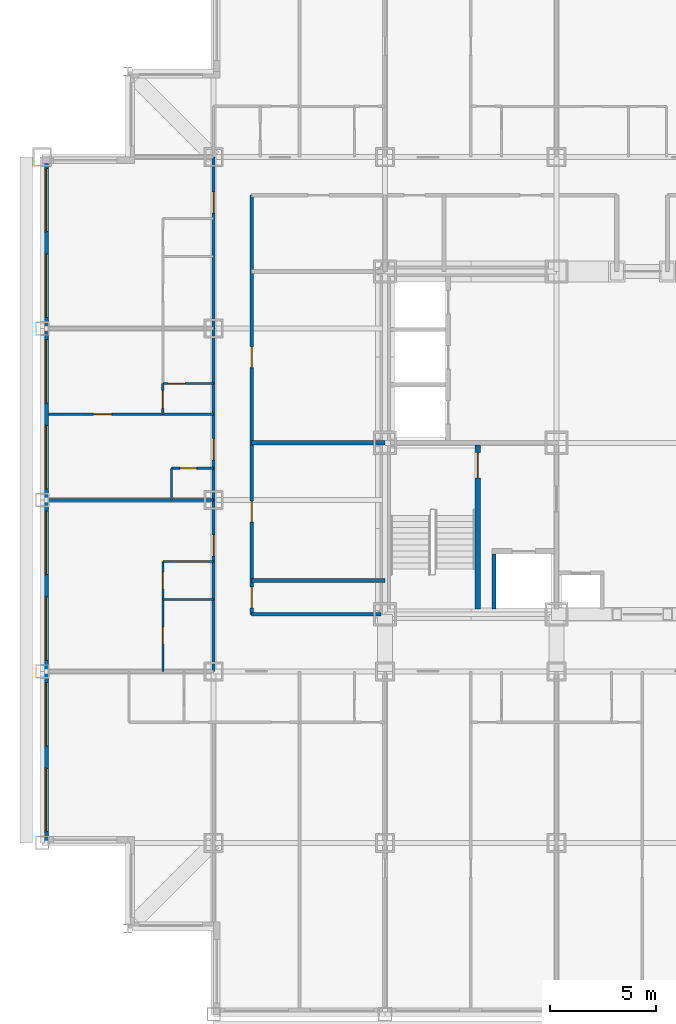
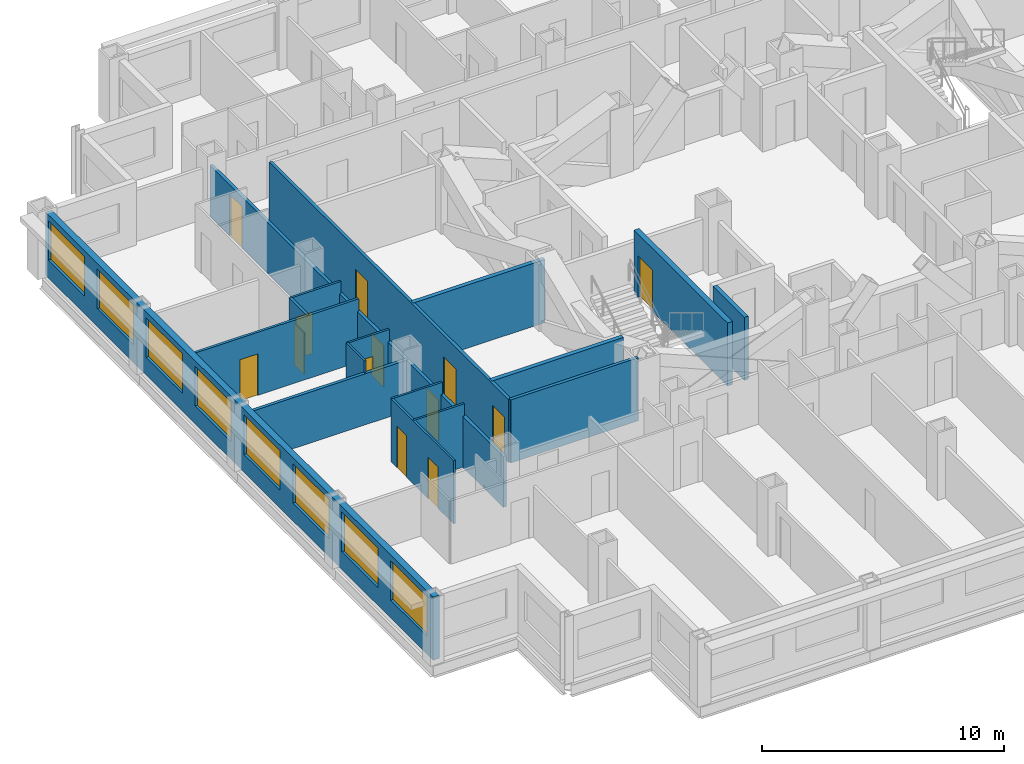
# One storey, part 5 of 14: 17 walls, 13 doors, 8 windows, 21 openings.
"""IFC4 building model written with IfcOpenShell, lengths in metres."""

from ifc_helpers import new_model, si_unit, direction, frame, frame_2d, origin, place, context, subcontext, project, spatial, rectangle, extrude, material, layer, layer_set, type_object, element, fill, save


model = new_model("IFC4")

# Units and contexts
model_context = context("Model", 3, precision=1e-05, world=origin(), true_north=direction((0.0, 1.0)))
body_context = subcontext(model_context, "Body", "Model", "MODEL_VIEW")
ifc_project = project(units=[si_unit("LENGTHUNIT", "METRE"), si_unit("AREAUNIT", "SQUARE_METRE"), si_unit("VOLUMEUNIT", "CUBIC_METRE"), si_unit("PLANEANGLEUNIT", "RADIAN"), si_unit("MASSUNIT", "GRAM", prefix="KILO")], contexts=[model_context])

# Site, building, storey
site_placement = place(None, origin())
site = spatial("IfcSite", under=ifc_project, at=site_placement, CompositionType="ELEMENT")
building_placement = place(site_placement, origin())
building = spatial("IfcBuilding", under=site, at=building_placement, Name="Kopane Lantern Tower", CompositionType="ELEMENT")
storey_placement = place(building_placement, frame((0.0, 0.0, 123.800048828125)))
storey = spatial("IfcBuildingStorey", under=building, at=storey_placement, Name="L31", CompositionType="ELEMENT", Elevation=123.800048828125)

# Wall, opening, door
ifc_material_1 = material(Name="Gypsum board on steel studs", Category="steel")
ifc_layer_1 = layer(ifc_material_1, 0.1201171875)
ifc_layer_set_1 = layer_set([ifc_layer_1], Name="APARTMENT INTERNAL WALL 120")
wall_type_1 = type_object("IfcWallType", Name="APARTMENT INTERNAL WALL 120", PredefinedType="PARTITIONING", material=ifc_layer_set_1)
wall_1_placement = place(storey_placement, frame((8.10009765625, 33.75, 0.0), z_axis=(0.0, 0.0, 1.0), x_axis=(-1.0, 0.0, 0.0)))
wall_1 = element("IfcWall", 1, at=wall_1_placement, inside=storey, type_object=wall_type_1, Name="Apartment Internal Wall 120 L31", PredefinedType="PARTITIONING", context=body_context, shape_type="SweptSolid", body=[
    extrude(rectangle(XDim=7.800048828125, YDim=0.1201171875, at=frame_2d((3.89990234375, 0.0))), origin(), (0.0, 0.0, 1.0), 3.18994140625),
])
opening_1_placement = place(wall_1_placement, frame((4.824951171875, 0.0, 0.0)))
opening_1 = element("IfcOpeningElement", 2, at=opening_1_placement, cuts=wall_1, Name="Opening L31-049", PredefinedType="OPENING", context=body_context, shape_type="SweptSolid", body=[
    extrude(rectangle(XDim=0.85009765625, YDim=2.10009765625, at=frame_2d((0.425048828125, 1.050048828125))), frame((0.0, 0.070068359375, 0.0), z_axis=(0.0, -1.0, 0.0), x_axis=(1.0, 0.0, 0.0)), (0.0, 0.0, 1.0), 0.14013671875),
])
ifc_material_2 = material(Name="Timber door set", Category="wood")
door_type_1 = type_object("IfcDoorType", Name="DOOR D4 850x2100", OperationType="SINGLE_SWING_LEFT", PredefinedType="DOOR", material=ifc_material_2)
door_1_placement = place(opening_1_placement, origin())
door_1 = element("IfcDoor", 3, at=door_1_placement, inside=storey, type_object=door_type_1, Name="Door L31-049", OperationType="SINGLE_SWING_RIGHT", OverallHeight=2.10009765625, OverallWidth=0.85009765625, PredefinedType="DOOR", context=body_context, shape_type="SweptSolid", body=[
    extrude(rectangle(XDim=0.85009765625, YDim=2.10009765625, at=frame_2d((0.425048828125, 1.050048828125))), frame((0.0, 0.02490234375, 0.0), z_axis=(0.0, -1.0, 0.0), x_axis=(1.0, 0.0, 0.0)), (0.0, 0.0, 1.0), 0.050048828125),
])
fill(opening_1, door_1)

wall_2_placement = place(storey_placement, frame((5.699951171875, 33.75, 0.0), z_axis=(0.0, 0.0, 1.0), x_axis=(0.0, 1.0, 0.0)))
wall_2 = element("IfcWall", 4, at=wall_2_placement, inside=storey, type_object=wall_type_1, Name="Apartment Internal Wall 120 L31", PredefinedType="PARTITIONING", context=body_context, shape_type="SweptSolid", body=[
    extrude(rectangle(XDim=1.4599609375, YDim=0.1201171875, at=frame_2d((0.72998046875, 0.0))), origin(), (0.0, 0.0, 1.0), 3.18994140625),
])
opening_2_placement = place(wall_2_placement, frame((0.27490234375, 0.0, 0.0)))
opening_2 = element("IfcOpeningElement", 5, at=opening_2_placement, cuts=wall_2, Name="Opening L31-085", PredefinedType="OPENING", context=body_context, shape_type="SweptSolid", body=[
    extrude(rectangle(XDim=0.85009765625, YDim=2.10009765625, at=frame_2d((0.425048828125, 1.050048828125))), frame((0.0, 0.070068359375, 0.0), z_axis=(0.0, -1.0, 0.0), x_axis=(1.0, 0.0, 0.0)), (0.0, 0.0, 1.0), 0.14013671875),
])
door_2_placement = place(opening_2_placement, origin())
door_2 = element("IfcDoor", 6, at=door_2_placement, inside=storey, type_object=door_type_1, Name="Door L31-085", OperationType="SINGLE_SWING_LEFT", OverallHeight=2.10009765625, OverallWidth=0.85009765625, PredefinedType="DOOR", context=body_context, shape_type="SweptSolid", body=[
    extrude(rectangle(XDim=0.85009765625, YDim=2.10009765625, at=frame_2d((0.425048828125, 1.050048828125))), frame((0.0, 0.02490234375, 0.0), z_axis=(0.0, -1.0, 0.0), x_axis=(1.0, 0.0, 0.0)), (0.0, 0.0, 1.0), 0.050048828125),
])
fill(opening_2, door_2)

# Wall, openings, doors
ifc_material_3 = material(Name="Moisture-resistant board on steel studs", Category="steel")
ifc_layer_2 = layer(ifc_material_3, 0.10009765625)
ifc_layer_set_2 = layer_set([ifc_layer_2], Name="BATHROOM WALL 100")
wall_type_2 = type_object("IfcWallType", Name="BATHROOM WALL 100", PredefinedType="PARTITIONING", material=ifc_layer_set_2)
wall_3_placement = place(storey_placement, frame((5.699951171875, 21.60009765625, 0.0), z_axis=(0.0, 0.0, 1.0), x_axis=(0.0, 1.0, 0.0)))
wall_3 = element("IfcWall", 7, at=wall_3_placement, inside=storey, type_object=wall_type_2, Name="Bathroom Wall 100 L31", PredefinedType="PARTITIONING", context=body_context, shape_type="SweptSolid", body=[
    extrude(rectangle(XDim=5.199951171875, YDim=0.10009765625, at=frame_2d((2.60009765625, 0.0))), origin(), (0.0, 0.0, 1.0), 3.18994140625),
])
opening_3_placement = place(wall_3_placement, frame((1.300048828125, 0.0, 0.0)))
opening_3 = element("IfcOpeningElement", 8, at=opening_3_placement, cuts=wall_3, Name="Opening L31-043", PredefinedType="OPENING", context=body_context, shape_type="SweptSolid", body=[
    extrude(rectangle(XDim=0.800048828125, YDim=2.10009765625, at=frame_2d((0.39990234375, 1.050048828125))), frame((0.0, 0.06005859375, 0.0), z_axis=(0.0, -1.0, 0.0), x_axis=(1.0, 0.0, 0.0)), (0.0, 0.0, 1.0), 0.1201171875),
])
opening_4_placement = place(wall_3_placement, frame((3.89990234375, 0.0, 0.0)))
opening_4 = element("IfcOpeningElement", 9, at=opening_4_placement, cuts=wall_3, Name="Opening L31-044", PredefinedType="OPENING", context=body_context, shape_type="SweptSolid", body=[
    extrude(rectangle(XDim=0.800048828125, YDim=2.10009765625, at=frame_2d((0.39990234375, 1.050048828125))), frame((0.0, 0.06005859375, 0.0), z_axis=(0.0, -1.0, 0.0), x_axis=(1.0, 0.0, 0.0)), (0.0, 0.0, 1.0), 0.1201171875),
])
ifc_material_4 = material(Name="Timber door set", Category="wood")
door_type_2 = type_object("IfcDoorType", Name="DOOR D2 800x2100", OperationType="SINGLE_SWING_LEFT", PredefinedType="DOOR", material=ifc_material_4)
door_3_placement = place(opening_3_placement, origin())
door_3 = element("IfcDoor", 10, at=door_3_placement, inside=storey, type_object=door_type_2, Name="Door L31-043", OperationType="SINGLE_SWING_LEFT", OverallHeight=2.10009765625, OverallWidth=0.800048828125, PredefinedType="DOOR", context=body_context, shape_type="SweptSolid", body=[
    extrude(rectangle(XDim=0.800048828125, YDim=2.10009765625, at=frame_2d((0.39990234375, 1.050048828125))), frame((0.0, 0.02490234375, 0.0), z_axis=(0.0, -1.0, 0.0), x_axis=(1.0, 0.0, 0.0)), (0.0, 0.0, 1.0), 0.050048828125),
])
fill(opening_3, door_3)
door_4_placement = place(opening_4_placement, origin())
door_4 = element("IfcDoor", 11, at=door_4_placement, inside=storey, type_object=door_type_2, Name="Door L31-044", OperationType="SINGLE_SWING_LEFT", OverallHeight=2.10009765625, OverallWidth=0.800048828125, PredefinedType="DOOR", context=body_context, shape_type="SweptSolid", body=[
    extrude(rectangle(XDim=0.800048828125, YDim=2.10009765625, at=frame_2d((0.39990234375, 1.050048828125))), frame((0.0, 0.02490234375, 0.0), z_axis=(0.0, -1.0, 0.0), x_axis=(1.0, 0.0, 0.0)), (0.0, 0.0, 1.0), 0.050048828125),
])
fill(opening_4, door_4)

# Walls
for number, where, z_axis, x_axis, name in (
    (12, (8.10009765625, 25.0, 0.0), (0.0, 0.0, 1.0), (-1.0, 0.0, 0.0), "Bathroom Wall 100 L31"),
    (13, (8.10009765625, 26.800048828125, 0.0), (0.0, 0.0, 1.0), (-1.0, 0.0, 0.0), "Bathroom Wall 100 L31"),
):
    element("IfcWall", number, at=place(storey_placement, frame(where, z_axis=z_axis, x_axis=x_axis)), inside=storey, type_object=wall_type_2, Name=name, PredefinedType="PARTITIONING", context=body_context, shape_type="SweptSolid", body=[
        extrude(rectangle(XDim=2.400146484375, YDim=0.10009765625, at=frame_2d((1.2001953125, 0.0))), origin(), (0.0, 0.0, 1.0), 3.18994140625),
    ])
wall_4_placement = place(storey_placement, frame((6.10009765625, 29.699951171875, 0.0), z_axis=(0.0, 0.0, 1.0), x_axis=(0.0, 1.0, 0.0)))
element("IfcWall", 14, at=wall_4_placement, inside=storey, type_object=wall_type_2, Name="Bathroom Wall 100 L31", PredefinedType="PARTITIONING", context=body_context, shape_type="SweptSolid", body=[
    extrude(rectangle(XDim=1.5, YDim=0.10009765625, at=frame_2d((0.75, 0.0))), origin(), (0.0, 0.0, 1.0), 3.18994140625),
])

# Wall, opening, door
wall_5_placement = place(storey_placement, frame((8.10009765625, 31.199951171875, 0.0), z_axis=(0.0, 0.0, 1.0), x_axis=(-1.0, 0.0, 0.0)))
wall_5 = element("IfcWall", 15, at=wall_5_placement, inside=storey, type_object=wall_type_2, Name="Bathroom Wall 100 L31", PredefinedType="PARTITIONING", context=body_context, shape_type="SweptSolid", body=[
    extrude(rectangle(XDim=2.0, YDim=0.10009765625, at=frame_2d((1.0, 0.0))), origin(), (0.0, 0.0, 1.0), 3.18994140625),
])
opening_5_placement = place(wall_5_placement, frame((0.800048828125, 0.0, 0.0)))
opening_5 = element("IfcOpeningElement", 16, at=opening_5_placement, cuts=wall_5, Name="Opening L31-046", PredefinedType="OPENING", context=body_context, shape_type="SweptSolid", body=[
    extrude(rectangle(XDim=0.800048828125, YDim=2.10009765625, at=frame_2d((0.39990234375, 1.050048828125))), frame((0.0, 0.06005859375, 0.0), z_axis=(0.0, -1.0, 0.0), x_axis=(1.0, 0.0, 0.0)), (0.0, 0.0, 1.0), 0.1201171875),
])
door_5_placement = place(opening_5_placement, origin())
door_5 = element("IfcDoor", 17, at=door_5_placement, inside=storey, type_object=door_type_2, Name="Door L31-046", OperationType="SINGLE_SWING_RIGHT", OverallHeight=2.10009765625, OverallWidth=0.800048828125, PredefinedType="DOOR", context=body_context, shape_type="SweptSolid", body=[
    extrude(rectangle(XDim=0.800048828125, YDim=2.10009765625, at=frame_2d((0.39990234375, 1.050048828125))), frame((0.0, 0.02490234375, 0.0), z_axis=(0.0, -1.0, 0.0), x_axis=(1.0, 0.0, 0.0)), (0.0, 0.0, 1.0), 0.050048828125),
])
fill(opening_5, door_5)

wall_6_placement = place(storey_placement, frame((8.10009765625, 35.199951171875, 0.0), z_axis=(0.0, 0.0, 1.0), x_axis=(-1.0, 0.0, 0.0)))
wall_6 = element("IfcWall", 18, at=wall_6_placement, inside=storey, type_object=wall_type_2, Name="Bathroom Wall 100 L31", PredefinedType="PARTITIONING", context=body_context, shape_type="SweptSolid", body=[
    extrude(rectangle(XDim=2.400146484375, YDim=0.10009765625, at=frame_2d((1.2001953125, 0.0))), origin(), (0.0, 0.0, 1.0), 3.18994140625),
])
opening_6_placement = place(wall_6_placement, frame((1.35009765625, 0.0, 0.0)))
opening_6 = element("IfcOpeningElement", 19, at=opening_6_placement, cuts=wall_6, Name="Opening L31-048", PredefinedType="OPENING", context=body_context, shape_type="SweptSolid", body=[
    extrude(rectangle(XDim=0.800048828125, YDim=2.10009765625, at=frame_2d((0.39990234375, 1.050048828125))), frame((0.0, 0.06005859375, 0.0), z_axis=(0.0, -1.0, 0.0), x_axis=(1.0, 0.0, 0.0)), (0.0, 0.0, 1.0), 0.1201171875),
])
door_6_placement = place(opening_6_placement, origin())
door_6 = element("IfcDoor", 20, at=door_6_placement, inside=storey, type_object=door_type_2, Name="Door L31-048", OperationType="SINGLE_SWING_RIGHT", OverallHeight=2.10009765625, OverallWidth=0.800048828125, PredefinedType="DOOR", context=body_context, shape_type="SweptSolid", body=[
    extrude(rectangle(XDim=0.800048828125, YDim=2.10009765625, at=frame_2d((0.39990234375, 1.050048828125))), frame((0.0, 0.02490234375, 0.0), z_axis=(0.0, -1.0, 0.0), x_axis=(1.0, 0.0, 0.0)), (0.0, 0.0, 1.0), 0.050048828125),
])
fill(opening_6, door_6)

ifc_material_5 = material(Name="Gypsum shaft wall EI 120", Category="gypsum")
ifc_layer_3 = layer(ifc_material_5, 0.25)
ifc_layer_set_3 = layer_set([ifc_layer_3], Name="CORE SHAFT WALL 250 EI 120")
wall_type_3 = type_object("IfcWallType", Name="CORE SHAFT WALL 250 EI 120", PredefinedType="SOLIDWALL", material=ifc_layer_set_3)
wall_7_placement = place(storey_placement, frame((20.574951171875, 24.550048828125, 0.0), z_axis=(0.0, 0.0, 1.0), x_axis=(0.0, 1.0, 0.0)))
wall_7 = element("IfcWall", 21, at=wall_7_placement, inside=storey, type_object=wall_type_3, Name="Core shaft wall L31 XST1", PredefinedType="SOLIDWALL", context=body_context, shape_type="SweptSolid", body=[
    extrude(rectangle(XDim=7.75, YDim=0.25, at=frame_2d((3.875, 0.0))), origin(), (0.0, 0.0, 1.0), 3.18994140625),
])
opening_7_placement = place(wall_7_placement, frame((6.199951171875, 0.0, 0.0)))
opening_7 = element("IfcOpeningElement", 22, at=opening_7_placement, cuts=wall_7, Name="Opening 31.SD1", PredefinedType="OPENING", context=body_context, shape_type="SweptSolid", body=[
    extrude(rectangle(XDim=1.199951171875, YDim=2.10009765625, at=frame_2d((0.60009765625, 1.050048828125))), frame((0.0, 0.135009765625, 0.0), z_axis=(0.0, -1.0, 0.0), x_axis=(1.0, 0.0, 0.0)), (0.0, 0.0, 1.0), 0.27001953125),
])
ifc_material_6 = material(Name="Steel door set", Category="steel")
door_type_3 = type_object("IfcDoorType", Name="STAIR DOOR 1200x2100 FD60S", OperationType="SINGLE_SWING_LEFT", PredefinedType="DOOR", material=ifc_material_6)
door_7_placement = place(opening_7_placement, origin())
door_7 = element("IfcDoor", 23, at=door_7_placement, inside=storey, type_object=door_type_3, Name="Stair door ST1 L31", OperationType="SINGLE_SWING_LEFT", OverallHeight=2.10009765625, OverallWidth=1.199951171875, PredefinedType="DOOR", context=body_context, shape_type="SweptSolid", body=[
    extrude(rectangle(XDim=1.199951171875, YDim=2.10009765625, at=frame_2d((0.60009765625, 1.050048828125))), frame((0.0, 0.02490234375, 0.0), z_axis=(0.0, -1.0, 0.0), x_axis=(1.0, 0.0, 0.0)), (0.0, 0.0, 1.0), 0.050048828125),
])
fill(opening_7, door_7)

# Wall, openings, doors
ifc_material_7 = material(Name="Gypsum board on steel studs", Category="steel")
ifc_layer_4 = layer(ifc_material_7, 0.14990234375)
ifc_layer_set_4 = layer_set([ifc_layer_4], Name="CORRIDOR WALL 150 EI 60")
wall_type_4 = type_object("IfcWallType", Name="CORRIDOR WALL 150 EI 60", PredefinedType="PARTITIONING", material=ifc_layer_set_4)
wall_8_placement = place(storey_placement, frame((8.10009765625, 21.60009765625, 0.0), z_axis=(0.0, 0.0, 1.0), x_axis=(0.0, 1.0, 0.0)))
wall_8 = element("IfcWall", 24, at=wall_8_placement, inside=storey, type_object=wall_type_4, Name="Corridor Wall 150 Ei 60 L31", PredefinedType="PARTITIONING", context=body_context, shape_type="SweptSolid", body=[
    extrude(rectangle(XDim=24.2998046875, YDim=0.14990234375, at=frame_2d((12.14990234375, 0.0))), origin(), (0.0, 0.0, 1.0), 2.57763671875),
])
opening_8_placement = place(wall_8_placement, frame((5.449951171875, 0.0, 0.0)))
opening_8 = element("IfcOpeningElement", 25, at=opening_8_placement, cuts=wall_8, Name="Opening L31-045", PredefinedType="OPENING", context=body_context, shape_type="SweptSolid", body=[
    extrude(rectangle(XDim=1.0, YDim=2.10009765625, at=frame_2d((0.5, 1.050048828125))), frame((0.0, 0.0849609375, 0.0), z_axis=(0.0, -1.0, 0.0), x_axis=(1.0, 0.0, 0.0)), (0.0, 0.0, 1.0), 0.169921875),
])
opening_9_placement = place(wall_8_placement, frame((10.0, 0.0, 0.0)))
opening_9 = element("IfcOpeningElement", 26, at=opening_9_placement, cuts=wall_8, Name="Opening L31-047", PredefinedType="OPENING", context=body_context, shape_type="SweptSolid", body=[
    extrude(rectangle(XDim=1.0, YDim=2.10009765625, at=frame_2d((0.5, 1.050048828125))), frame((0.0, 0.0849609375, 0.0), z_axis=(0.0, -1.0, 0.0), x_axis=(1.0, 0.0, 0.0)), (0.0, 0.0, 1.0), 0.169921875),
])
opening_10_placement = place(wall_8_placement, frame((21.64990234375, 0.0, 0.0)))
opening_10 = element("IfcOpeningElement", 27, at=opening_10_placement, cuts=wall_8, Name="Opening L31-052", PredefinedType="OPENING", context=body_context, shape_type="SweptSolid", body=[
    extrude(rectangle(XDim=1.0, YDim=2.10009765625, at=frame_2d((0.5, 1.050048828125))), frame((0.0, 0.0849609375, 0.0), z_axis=(0.0, -1.0, 0.0), x_axis=(1.0, 0.0, 0.0)), (0.0, 0.0, 1.0), 0.169921875),
])
ifc_material_8 = material(Name="Steel door set", Category="steel")
door_type_4 = type_object("IfcDoorType", Name="DOOR D1 1000x2100 FD30S", OperationType="SINGLE_SWING_LEFT", PredefinedType="DOOR", material=ifc_material_8)
door_8_placement = place(opening_8_placement, origin())
door_8 = element("IfcDoor", 28, at=door_8_placement, inside=storey, type_object=door_type_4, Name="Door L31-045", OperationType="SINGLE_SWING_LEFT", OverallHeight=2.10009765625, OverallWidth=1.0, PredefinedType="DOOR", context=body_context, shape_type="SweptSolid", body=[
    extrude(rectangle(XDim=1.0, YDim=2.10009765625, at=frame_2d((0.5, 1.050048828125))), frame((0.0, 0.02490234375, 0.0), z_axis=(0.0, -1.0, 0.0), x_axis=(1.0, 0.0, 0.0)), (0.0, 0.0, 1.0), 0.050048828125),
])
fill(opening_8, door_8)
door_9_placement = place(opening_9_placement, origin())
door_9 = element("IfcDoor", 29, at=door_9_placement, inside=storey, type_object=door_type_4, Name="Door L31-047", OperationType="SINGLE_SWING_LEFT", OverallHeight=2.10009765625, OverallWidth=1.0, PredefinedType="DOOR", context=body_context, shape_type="SweptSolid", body=[
    extrude(rectangle(XDim=1.0, YDim=2.10009765625, at=frame_2d((0.5, 1.050048828125))), frame((0.0, 0.02490234375, 0.0), z_axis=(0.0, -1.0, 0.0), x_axis=(1.0, 0.0, 0.0)), (0.0, 0.0, 1.0), 0.050048828125),
])
fill(opening_9, door_9)
door_10_placement = place(opening_10_placement, origin())
door_10 = element("IfcDoor", 30, at=door_10_placement, inside=storey, type_object=door_type_4, Name="Door L31-052", OperationType="SINGLE_SWING_LEFT", OverallHeight=2.10009765625, OverallWidth=1.0, PredefinedType="DOOR", context=body_context, shape_type="SweptSolid", body=[
    extrude(rectangle(XDim=1.0, YDim=2.10009765625, at=frame_2d((0.5, 1.050048828125))), frame((0.0, 0.02490234375, 0.0), z_axis=(0.0, -1.0, 0.0), x_axis=(1.0, 0.0, 0.0)), (0.0, 0.0, 1.0), 0.050048828125),
])
fill(opening_10, door_10)

wall_9_placement = place(storey_placement, frame((9.89990234375, 44.10009765625, 0.0), z_axis=(0.0, 0.0, 1.0), x_axis=(0.0, -1.0, 0.0)))
wall_9 = element("IfcWall", 31, at=wall_9_placement, inside=storey, type_object=wall_type_4, Name="Corridor Wall 150 Ei 60 L31", PredefinedType="PARTITIONING", context=body_context, shape_type="SweptSolid", body=[
    extrude(rectangle(XDim=19.800048828125, YDim=0.14990234375, at=frame_2d((9.89990234375, 0.0))), origin(), (0.0, 0.0, 1.0), 3.18994140625),
])
opening_11_placement = place(wall_9_placement, frame((18.5, 0.0, 0.0)))
opening_11 = element("IfcOpeningElement", 32, at=opening_11_placement, cuts=wall_9, Name="Opening L31-001", PredefinedType="OPENING", context=body_context, shape_type="SweptSolid", body=[
    extrude(rectangle(XDim=1.0, YDim=2.10009765625, at=frame_2d((0.5, 1.050048828125))), frame((0.0, 0.0849609375, 0.0), z_axis=(0.0, -1.0, 0.0), x_axis=(1.0, 0.0, 0.0)), (0.0, 0.0, 1.0), 0.169921875),
])
opening_12_placement = place(wall_9_placement, frame((14.449951171875, 0.0, 0.0)))
opening_12 = element("IfcOpeningElement", 33, at=opening_12_placement, cuts=wall_9, Name="Opening L31-002", PredefinedType="OPENING", context=body_context, shape_type="SweptSolid", body=[
    extrude(rectangle(XDim=1.0, YDim=2.10009765625, at=frame_2d((0.5, 1.050048828125))), frame((0.0, 0.0849609375, 0.0), z_axis=(0.0, -1.0, 0.0), x_axis=(1.0, 0.0, 0.0)), (0.0, 0.0, 1.0), 0.169921875),
])
opening_13_placement = place(wall_9_placement, frame((7.14990234375, 0.0, 0.0)))
opening_13 = element("IfcOpeningElement", 34, at=opening_13_placement, cuts=wall_9, Name="Opening L31-003", PredefinedType="OPENING", context=body_context, shape_type="SweptSolid", body=[
    extrude(rectangle(XDim=1.0, YDim=2.10009765625, at=frame_2d((0.5, 1.050048828125))), frame((0.0, 0.0849609375, 0.0), z_axis=(0.0, -1.0, 0.0), x_axis=(1.0, 0.0, 0.0)), (0.0, 0.0, 1.0), 0.169921875),
])
ifc_material_9 = material(Name="Steel door set", Category="steel")
door_type_5 = type_object("IfcDoorType", Name="DOOR D5 1000x2100 FD60", OperationType="SINGLE_SWING_LEFT", PredefinedType="DOOR", material=ifc_material_9)
door_11_placement = place(opening_11_placement, origin())
door_11 = element("IfcDoor", 35, at=door_11_placement, inside=storey, type_object=door_type_5, Name="Door L31-001", OperationType="SINGLE_SWING_LEFT", OverallHeight=2.10009765625, OverallWidth=1.0, PredefinedType="DOOR", context=body_context, shape_type="SweptSolid", body=[
    extrude(rectangle(XDim=1.0, YDim=2.10009765625, at=frame_2d((0.5, 1.050048828125))), frame((0.0, 0.02490234375, 0.0), z_axis=(0.0, -1.0, 0.0), x_axis=(1.0, 0.0, 0.0)), (0.0, 0.0, 1.0), 0.050048828125),
])
fill(opening_11, door_11)
door_12_placement = place(opening_12_placement, origin())
door_12 = element("IfcDoor", 36, at=door_12_placement, inside=storey, type_object=door_type_5, Name="Door L31-002", OperationType="SINGLE_SWING_RIGHT", OverallHeight=2.10009765625, OverallWidth=1.0, PredefinedType="DOOR", context=body_context, shape_type="SweptSolid", body=[
    extrude(rectangle(XDim=1.0, YDim=2.10009765625, at=frame_2d((0.5, 1.050048828125))), frame((0.0, 0.02490234375, 0.0), z_axis=(0.0, -1.0, 0.0), x_axis=(1.0, 0.0, 0.0)), (0.0, 0.0, 1.0), 0.050048828125),
])
fill(opening_12, door_12)
door_13_placement = place(opening_13_placement, origin())
door_13 = element("IfcDoor", 37, at=door_13_placement, inside=storey, type_object=door_type_5, Name="Door L31-003", OperationType="SINGLE_SWING_LEFT", OverallHeight=2.10009765625, OverallWidth=1.0, PredefinedType="DOOR", context=body_context, shape_type="SweptSolid", body=[
    extrude(rectangle(XDim=1.0, YDim=2.10009765625, at=frame_2d((0.5, 1.050048828125))), frame((0.0, 0.02490234375, 0.0), z_axis=(0.0, -1.0, 0.0), x_axis=(1.0, 0.0, 0.0)), (0.0, 0.0, 1.0), 0.050048828125),
])
fill(opening_13, door_13)

# Walls
wall_10_placement = place(storey_placement, frame((9.89990234375, 24.300048828125, 0.0), z_axis=(0.0, 0.0, 1.0), x_axis=(1.0, 0.0, 0.0)))
element("IfcWall", 38, at=wall_10_placement, inside=storey, type_object=wall_type_4, Name="Corridor Wall 150 Ei 60 L31", PredefinedType="PARTITIONING", context=body_context, shape_type="SweptSolid", body=[
    extrude(rectangle(XDim=6.10009765625, YDim=0.14990234375, at=frame_2d((3.050048828125, 0.0))), origin(), (0.0, 0.0, 1.0), 3.18994140625),
])
ifc_material_10 = material(Name="Gypsum board on steel studs", Category="steel")
ifc_layer_5 = layer(ifc_material_10, 0.14990234375)
ifc_layer_set_5 = layer_set([ifc_layer_5], Name="DEMISING WALL 150 EI 60")
wall_type_5 = type_object("IfcWallType", Name="DEMISING WALL 150 EI 60", PredefinedType="PARTITIONING", material=ifc_layer_set_5)
wall_11_placement = place(storey_placement, frame((8.10009765625, 29.699951171875, 0.0), z_axis=(0.0, 0.0, 1.0), x_axis=(-1.0, 0.0, 0.0)))
element("IfcWall", 39, at=wall_11_placement, inside=storey, type_object=wall_type_5, Name="Demising Wall 150 Ei 60 L31", PredefinedType="PARTITIONING", context=body_context, shape_type="SweptSolid", body=[
    extrude(rectangle(XDim=7.800048828125, YDim=0.14990234375, at=frame_2d((3.89990234375, 0.0))), origin(), (0.0, 0.0, 1.0), 2.57763671875),
])

# Wall, openings, windows
ifc_material_11 = material(Name="Terracotta rainscreen on light steel framing", Category="masonry")
ifc_layer_6 = layer(ifc_material_11, 0.300048828125)
ifc_layer_set_6 = layer_set([ifc_layer_6], Name="EXTERNAL WALL EW1 300 TERRACOTTA")
wall_type_6 = type_object("IfcWallType", Name="EXTERNAL WALL EW1 300 TERRACOTTA", PredefinedType="SOLIDWALL", material=ifc_layer_set_6)
wall_12_placement = place(storey_placement, frame((0.14990234375, 45.60009765625, 0.0), z_axis=(0.0, 0.0, 1.0), x_axis=(0.0, -1.0, 0.0)))
wall_12 = element("IfcWall", 40, at=wall_12_placement, inside=storey, type_object=wall_type_6, Name="External wall W L31", PredefinedType="SOLIDWALL", context=body_context, shape_type="SweptSolid", body=[
    extrude(rectangle(XDim=32.10009765625, YDim=0.300048828125, at=frame_2d((16.050048828125, 0.0))), origin(), (0.0, 0.0, 1.0), 3.18994140625),
])
opening_14_placement = place(wall_12_placement, frame((0.22509765625, 0.0, 0.89990234375)))
opening_14 = element("IfcOpeningElement", 41, at=opening_14_placement, cuts=wall_12, Name="Opening WR300200", PredefinedType="OPENING", context=body_context, shape_type="SweptSolid", body=[
    extrude(rectangle(XDim=3.0, YDim=2.0, at=frame_2d((1.5, 1.0))), frame((0.0, 0.159912109375, 0.0), z_axis=(0.0, -1.0, 0.0), x_axis=(1.0, 0.0, 0.0)), (0.0, 0.0, 1.0), 0.320068359375),
])
opening_15_placement = place(wall_12_placement, frame((4.27490234375, 0.0, 0.89990234375)))
opening_15 = element("IfcOpeningElement", 42, at=opening_15_placement, cuts=wall_12, Name="Opening WR300200", PredefinedType="OPENING", context=body_context, shape_type="SweptSolid", body=[
    extrude(rectangle(XDim=3.0, YDim=2.0, at=frame_2d((1.5, 1.0))), frame((0.0, 0.159912109375, 0.0), z_axis=(0.0, -1.0, 0.0), x_axis=(1.0, 0.0, 0.0)), (0.0, 0.0, 1.0), 0.320068359375),
])
opening_16_placement = place(wall_12_placement, frame((8.324951171875, 0.0, 0.89990234375)))
opening_16 = element("IfcOpeningElement", 43, at=opening_16_placement, cuts=wall_12, Name="Opening WR300200", PredefinedType="OPENING", context=body_context, shape_type="SweptSolid", body=[
    extrude(rectangle(XDim=3.0, YDim=2.0, at=frame_2d((1.5, 1.0))), frame((0.0, 0.159912109375, 0.0), z_axis=(0.0, -1.0, 0.0), x_axis=(1.0, 0.0, 0.0)), (0.0, 0.0, 1.0), 0.320068359375),
])
opening_17_placement = place(wall_12_placement, frame((12.375, 0.0, 0.89990234375)))
opening_17 = element("IfcOpeningElement", 44, at=opening_17_placement, cuts=wall_12, Name="Opening WR300200", PredefinedType="OPENING", context=body_context, shape_type="SweptSolid", body=[
    extrude(rectangle(XDim=3.0, YDim=2.0, at=frame_2d((1.5, 1.0))), frame((0.0, 0.159912109375, 0.0), z_axis=(0.0, -1.0, 0.0), x_axis=(1.0, 0.0, 0.0)), (0.0, 0.0, 1.0), 0.320068359375),
])
opening_18_placement = place(wall_12_placement, frame((16.425048828125, 0.0, 0.89990234375)))
opening_18 = element("IfcOpeningElement", 45, at=opening_18_placement, cuts=wall_12, Name="Opening WR300200", PredefinedType="OPENING", context=body_context, shape_type="SweptSolid", body=[
    extrude(rectangle(XDim=3.0, YDim=2.0, at=frame_2d((1.5, 1.0))), frame((0.0, 0.159912109375, 0.0), z_axis=(0.0, -1.0, 0.0), x_axis=(1.0, 0.0, 0.0)), (0.0, 0.0, 1.0), 0.320068359375),
])
opening_19_placement = place(wall_12_placement, frame((20.47509765625, 0.0, 0.89990234375)))
opening_19 = element("IfcOpeningElement", 46, at=opening_19_placement, cuts=wall_12, Name="Opening WR300200", PredefinedType="OPENING", context=body_context, shape_type="SweptSolid", body=[
    extrude(rectangle(XDim=3.0, YDim=2.0, at=frame_2d((1.5, 1.0))), frame((0.0, 0.159912109375, 0.0), z_axis=(0.0, -1.0, 0.0), x_axis=(1.0, 0.0, 0.0)), (0.0, 0.0, 1.0), 0.320068359375),
])
opening_20_placement = place(wall_12_placement, frame((24.52490234375, 0.0, 0.89990234375)))
opening_20 = element("IfcOpeningElement", 47, at=opening_20_placement, cuts=wall_12, Name="Opening WR300200", PredefinedType="OPENING", context=body_context, shape_type="SweptSolid", body=[
    extrude(rectangle(XDim=3.0, YDim=2.0, at=frame_2d((1.5, 1.0))), frame((0.0, 0.159912109375, 0.0), z_axis=(0.0, -1.0, 0.0), x_axis=(1.0, 0.0, 0.0)), (0.0, 0.0, 1.0), 0.320068359375),
])
opening_21_placement = place(wall_12_placement, frame((28.574951171875, 0.0, 0.89990234375)))
opening_21 = element("IfcOpeningElement", 48, at=opening_21_placement, cuts=wall_12, Name="Opening WR300200", PredefinedType="OPENING", context=body_context, shape_type="SweptSolid", body=[
    extrude(rectangle(XDim=3.0, YDim=2.0, at=frame_2d((1.5, 1.0))), frame((0.0, 0.159912109375, 0.0), z_axis=(0.0, -1.0, 0.0), x_axis=(1.0, 0.0, 0.0)), (0.0, 0.0, 1.0), 0.320068359375),
])
ifc_material_12 = material(Name="Aluminium and clear glass", Category="aluminium")
window_type = type_object("IfcWindowType", Name="RIBBON WINDOW WR300200 3000x2000", PartitioningType="SINGLE_PANEL", PredefinedType="WINDOW", material=ifc_material_12)
window_1_placement = place(opening_14_placement, origin())
window_1 = element("IfcWindow", 49, at=window_1_placement, inside=storey, type_object=window_type, Name="Window W L31", OverallHeight=2.0, OverallWidth=3.0, PartitioningType="SINGLE_PANEL", PredefinedType="WINDOW", context=body_context, shape_type="SweptSolid", body=[
    extrude(rectangle(XDim=3.0, YDim=2.0, at=frame_2d((1.5, 1.0))), frame((0.0, 0.030029296875, 0.0), z_axis=(0.0, -1.0, 0.0), x_axis=(1.0, 0.0, 0.0)), (0.0, 0.0, 1.0), 0.06005859375),
])
fill(opening_14, window_1)
window_2_placement = place(opening_15_placement, origin())
window_2 = element("IfcWindow", 50, at=window_2_placement, inside=storey, type_object=window_type, Name="Window W L31", OverallHeight=2.0, OverallWidth=3.0, PartitioningType="SINGLE_PANEL", PredefinedType="WINDOW", context=body_context, shape_type="SweptSolid", body=[
    extrude(rectangle(XDim=3.0, YDim=2.0, at=frame_2d((1.5, 1.0))), frame((0.0, 0.030029296875, 0.0), z_axis=(0.0, -1.0, 0.0), x_axis=(1.0, 0.0, 0.0)), (0.0, 0.0, 1.0), 0.06005859375),
])
fill(opening_15, window_2)
window_3_placement = place(opening_16_placement, origin())
window_3 = element("IfcWindow", 51, at=window_3_placement, inside=storey, type_object=window_type, Name="Window W L31", OverallHeight=2.0, OverallWidth=3.0, PartitioningType="SINGLE_PANEL", PredefinedType="WINDOW", context=body_context, shape_type="SweptSolid", body=[
    extrude(rectangle(XDim=3.0, YDim=2.0, at=frame_2d((1.5, 1.0))), frame((0.0, 0.030029296875, 0.0), z_axis=(0.0, -1.0, 0.0), x_axis=(1.0, 0.0, 0.0)), (0.0, 0.0, 1.0), 0.06005859375),
])
fill(opening_16, window_3)
window_4_placement = place(opening_17_placement, origin())
window_4 = element("IfcWindow", 52, at=window_4_placement, inside=storey, type_object=window_type, Name="Window W L31", OverallHeight=2.0, OverallWidth=3.0, PartitioningType="SINGLE_PANEL", PredefinedType="WINDOW", context=body_context, shape_type="SweptSolid", body=[
    extrude(rectangle(XDim=3.0, YDim=2.0, at=frame_2d((1.5, 1.0))), frame((0.0, 0.030029296875, 0.0), z_axis=(0.0, -1.0, 0.0), x_axis=(1.0, 0.0, 0.0)), (0.0, 0.0, 1.0), 0.06005859375),
])
fill(opening_17, window_4)
window_5_placement = place(opening_18_placement, origin())
window_5 = element("IfcWindow", 53, at=window_5_placement, inside=storey, type_object=window_type, Name="Window W L31", OverallHeight=2.0, OverallWidth=3.0, PartitioningType="SINGLE_PANEL", PredefinedType="WINDOW", context=body_context, shape_type="SweptSolid", body=[
    extrude(rectangle(XDim=3.0, YDim=2.0, at=frame_2d((1.5, 1.0))), frame((0.0, 0.030029296875, 0.0), z_axis=(0.0, -1.0, 0.0), x_axis=(1.0, 0.0, 0.0)), (0.0, 0.0, 1.0), 0.06005859375),
])
fill(opening_18, window_5)
window_6_placement = place(opening_19_placement, origin())
window_6 = element("IfcWindow", 54, at=window_6_placement, inside=storey, type_object=window_type, Name="Window W L31", OverallHeight=2.0, OverallWidth=3.0, PartitioningType="SINGLE_PANEL", PredefinedType="WINDOW", context=body_context, shape_type="SweptSolid", body=[
    extrude(rectangle(XDim=3.0, YDim=2.0, at=frame_2d((1.5, 1.0))), frame((0.0, 0.030029296875, 0.0), z_axis=(0.0, -1.0, 0.0), x_axis=(1.0, 0.0, 0.0)), (0.0, 0.0, 1.0), 0.06005859375),
])
fill(opening_19, window_6)
window_7_placement = place(opening_20_placement, origin())
window_7 = element("IfcWindow", 55, at=window_7_placement, inside=storey, type_object=window_type, Name="Window W L31", OverallHeight=2.0, OverallWidth=3.0, PartitioningType="SINGLE_PANEL", PredefinedType="WINDOW", context=body_context, shape_type="SweptSolid", body=[
    extrude(rectangle(XDim=3.0, YDim=2.0, at=frame_2d((1.5, 1.0))), frame((0.0, 0.030029296875, 0.0), z_axis=(0.0, -1.0, 0.0), x_axis=(1.0, 0.0, 0.0)), (0.0, 0.0, 1.0), 0.06005859375),
])
fill(opening_20, window_7)
window_8_placement = place(opening_21_placement, origin())
window_8 = element("IfcWindow", 56, at=window_8_placement, inside=storey, type_object=window_type, Name="Window W L31", OverallHeight=2.0, OverallWidth=3.0, PartitioningType="SINGLE_PANEL", PredefinedType="WINDOW", context=body_context, shape_type="SweptSolid", body=[
    extrude(rectangle(XDim=3.0, YDim=2.0, at=frame_2d((1.5, 1.0))), frame((0.0, 0.030029296875, 0.0), z_axis=(0.0, -1.0, 0.0), x_axis=(1.0, 0.0, 0.0)), (0.0, 0.0, 1.0), 0.06005859375),
])
fill(opening_21, window_8)

# Walls
ifc_material_13 = material(Name="Concrete masonry", Category="masonry")
ifc_layer_7 = layer(ifc_material_13, 0.199951171875)
ifc_layer_set_7 = layer_set([ifc_layer_7], Name="PLANT ROOM WALL 200 EI 120")
wall_type_7 = type_object("IfcWallType", Name="PLANT ROOM WALL 200 EI 120", PredefinedType="SOLIDWALL", material=ifc_layer_set_7)
for number, where, z_axis, x_axis, name in (
    (57, (9.89990234375, 32.39990234375, 0.0), (0.0, 0.0, 1.0), (1.0, 0.0, 0.0), "Plant Room Wall 200 Ei 120 L31"),
    (58, (9.89990234375, 25.89990234375, 0.0), (0.0, 0.0, 1.0), (1.0, 0.0, 0.0), "Plant Room Wall 200 Ei 120 L31"),
):
    element("IfcWall", number, at=place(storey_placement, frame(where, z_axis=z_axis, x_axis=x_axis)), inside=storey, type_object=wall_type_7, Name=name, PredefinedType="SOLIDWALL", context=body_context, shape_type="SweptSolid", body=[
        extrude(rectangle(XDim=6.300048828125, YDim=0.199951171875, at=frame_2d((3.14990234375, 0.0))), origin(), (0.0, 0.0, 1.0), 3.18994140625),
    ])
ifc_material_14 = material(Name="Gypsum shaft wall EI 120", Category="gypsum")
ifc_layer_8 = layer(ifc_material_14, 0.199951171875)
ifc_layer_set_8 = layer_set([ifc_layer_8], Name="SHAFT WALL 200 EI 120")
wall_type_8 = type_object("IfcWallType", Name="SHAFT WALL 200 EI 120", PredefinedType="SOLIDWALL", material=ifc_layer_set_8)
wall_13_placement = place(storey_placement, frame((21.35009765625, 24.550048828125, 0.0), z_axis=(0.0, 0.0, 1.0), x_axis=(0.0, 1.0, 0.0)))
element("IfcWall", 59, at=wall_13_placement, inside=storey, type_object=wall_type_8, Name="Core shaft wall L31 XLF1", PredefinedType="SOLIDWALL", context=body_context, shape_type="SweptSolid", body=[
    extrude(rectangle(XDim=2.599853515625, YDim=0.199951171875, at=frame_2d((1.2998046875, 0.0))), origin(), (0.0, 0.0, 1.0), 3.18994140625),
])

save(model, "model.ifc")
